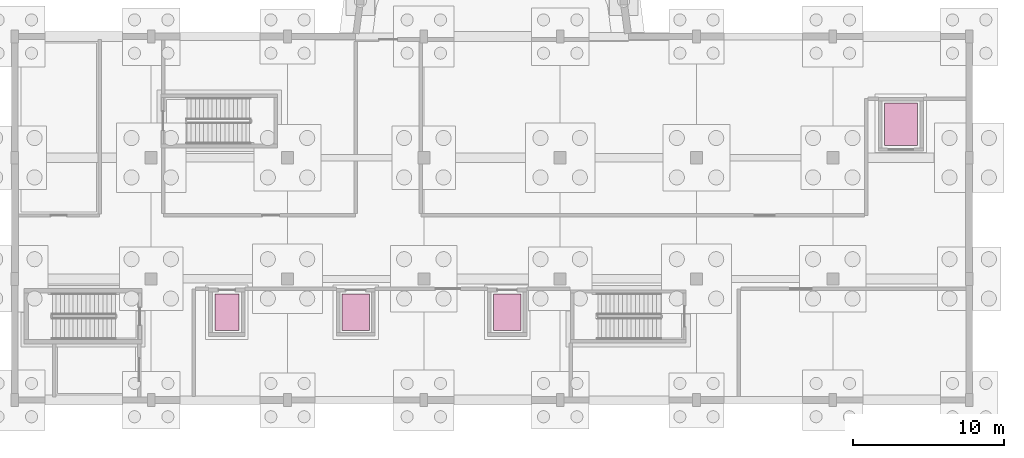
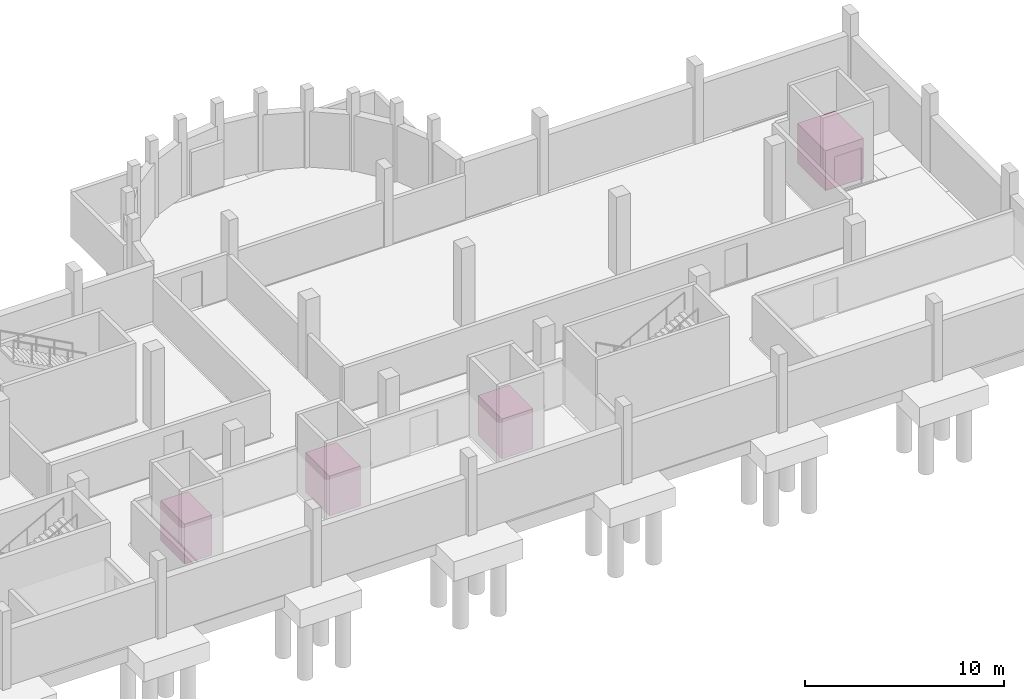
# One storey, part 10 of 10: 4 transport elements.
"""IFC4 building model written with IfcOpenShell, lengths in metres."""

from ifc_helpers import new_model, si_unit, direction, frame, origin, origin_2d, place, context, subcontext, project, spatial, rectangle, extrude, material, type_object, element, save


model = new_model("IFC4")

# Units and contexts
model_context = context("Model", 3, precision=1e-05, world=origin(), true_north=direction((0.0, 1.0)))
body_context = subcontext(model_context, "Body", "Model", "MODEL_VIEW")
ifc_project = project(units=[si_unit("LENGTHUNIT", "METRE"), si_unit("AREAUNIT", "SQUARE_METRE"), si_unit("VOLUMEUNIT", "CUBIC_METRE"), si_unit("PLANEANGLEUNIT", "RADIAN"), si_unit("MASSUNIT", "GRAM", prefix="KILO")], contexts=[model_context])

# Site, building, storey
site_placement = place(None, origin())
site = spatial("IfcSite", under=ifc_project, at=site_placement, CompositionType="ELEMENT")
building_placement = place(site_placement, origin())
building = spatial("IfcBuilding", under=site, at=building_placement, Name="Serraforn Aerial Cableway Station", CompositionType="ELEMENT")
storey_placement = place(building_placement, frame((0.0, 0.0, -4.800048828125)))
storey = spatial("IfcBuildingStorey", under=building, at=storey_placement, Name="B1", CompositionType="ELEMENT", Elevation=-4.800048828125)

# Transport elements
ifc_material = material(Name="Brushed bronze and stainless-steel lift cabin", Category="steel")
transport_element_type_1 = type_object("IfcTransportElementType", Name="LFT-GOND-2500", PredefinedType="ELEVATOR", material=ifc_material)
for number, where, z_axis, x_axis, name in (
    (1, (50.10009765625, 23.800048828125, 0.0), (0.0, 0.0, 1.0), (1.0, 0.0, 0.0), "Concourse Boarding Passenger Lift 3"),
    (2, (60.10009765625, 23.800048828125, 0.0), (0.0, 0.0, 1.0), (1.0, 0.0, 0.0), "Concourse Boarding Passenger Lift 4"),
):
    element("IfcTransportElement", number, at=place(storey_placement, frame(where, z_axis=z_axis, x_axis=x_axis)), inside=storey, type_object=transport_element_type_1, Name=name, PredefinedType="ELEVATOR", context=body_context, shape_type="SweptSolid", body=[
        extrude(rectangle(XDim=1.800048828125, YDim=2.39990234375, at=origin_2d()), origin(), (0.0, 0.0, 1.0), 2.449951171875),
    ])
transport_element_type_2 = type_object("IfcTransportElementType", Name="LFT-GOODS-3500", PredefinedType="ELEVATOR", material=ifc_material)
transport_element_1_placement = place(storey_placement, frame((86.10009765625, 36.199951171875, 0.0), z_axis=(0.0, 0.0, 1.0), x_axis=(1.0, 0.0, 0.0)))
element("IfcTransportElement", 3, at=transport_element_1_placement, inside=storey, type_object=transport_element_type_2, Name="Ropeway Parts Heavy Goods Lift 5", PredefinedType="ELEVATOR", context=body_context, shape_type="SweptSolid", body=[
    extrude(rectangle(XDim=2.199951171875, YDim=2.800048828125, at=origin_2d()), origin(), (0.0, 0.0, 1.0), 2.449951171875),
])
transport_element_type_3 = type_object("IfcTransportElementType", Name="LFT-STR-2000", PredefinedType="ELEVATOR", material=ifc_material)
transport_element_2_placement = place(storey_placement, frame((41.60009765625, 23.800048828125, 0.0), z_axis=(0.0, 0.0, 1.0), x_axis=(1.0, 0.0, 0.0)))
element("IfcTransportElement", 4, at=transport_element_2_placement, inside=storey, type_object=transport_element_type_3, Name="Station Main Stretcher Lift 2", PredefinedType="ELEVATOR", context=body_context, shape_type="SweptSolid", body=[
    extrude(rectangle(XDim=1.60009765625, YDim=2.39990234375, at=origin_2d()), origin(), (0.0, 0.0, 1.0), 2.449951171875),
])

save(model, "model.ifc")
